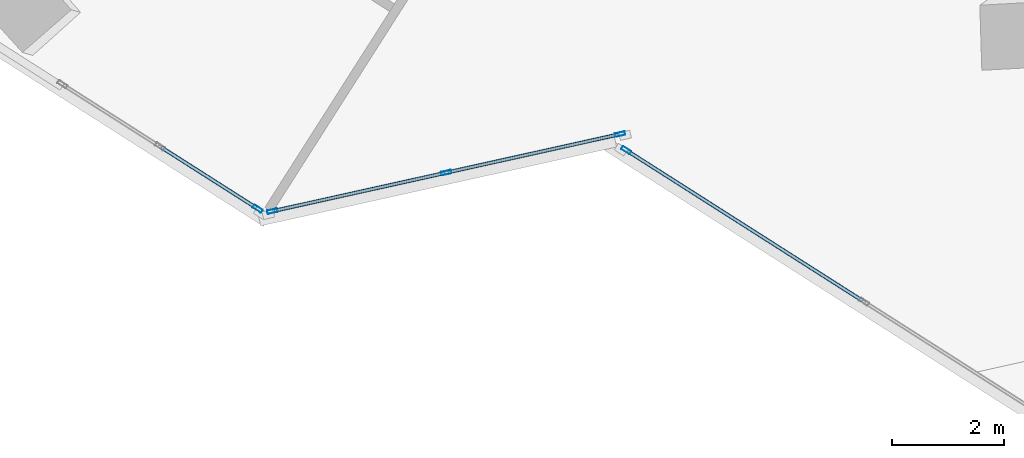
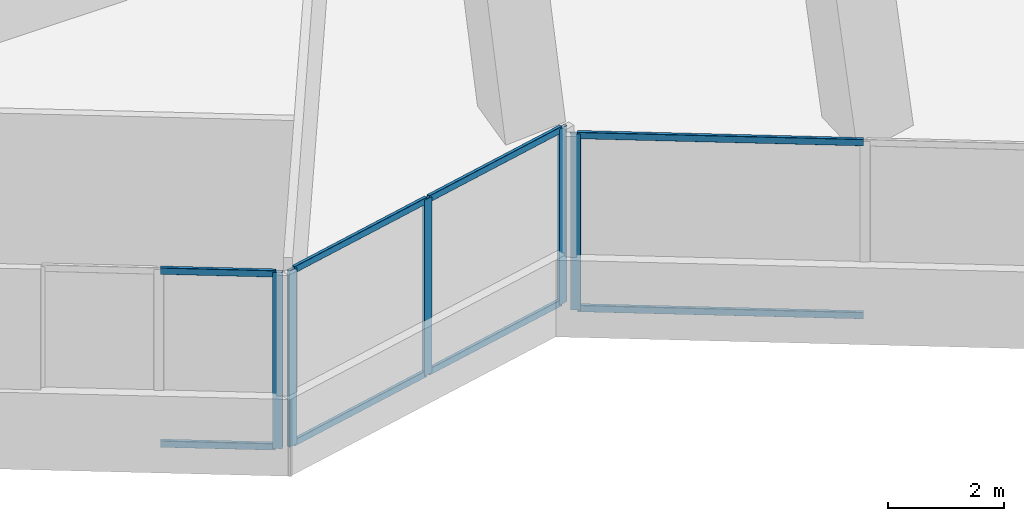
# One storey, part 4 of 24: 13 members, 3 elements without a shape of their own.
"""IFC4 building model written with IfcOpenShell, lengths in metres."""

from ifc_helpers import new_model, si_unit, direction, frame, origin, origin_2d, place, context, subcontext, project, spatial, hollow_rectangle, extrude, source, transform, mapped, material, material_profile, profile_set, type_object, element, aggregate, save


model = new_model("IFC4")

# Units and contexts
model_context = context("Model", 3, precision=1e-05, world=origin(), true_north=direction((0.0, 1.0)))
body_context = subcontext(model_context, "Body", "Model", "MODEL_VIEW")
ifc_project = project(units=[si_unit("LENGTHUNIT", "METRE"), si_unit("AREAUNIT", "SQUARE_METRE"), si_unit("VOLUMEUNIT", "CUBIC_METRE"), si_unit("PLANEANGLEUNIT", "RADIAN"), si_unit("MASSUNIT", "GRAM", prefix="KILO")], contexts=[model_context])

# Site, building, storey
site_placement = place(None, origin())
site = spatial("IfcSite", under=ifc_project, at=site_placement, CompositionType="ELEMENT")
building_placement = place(site_placement, origin())
building = spatial("IfcBuilding", under=site, at=building_placement, Name="Torre Montelarca", CompositionType="ELEMENT")
storey_placement = place(building_placement, frame((0.0, 0.0, 191.800048828125)))
storey = spatial("IfcBuildingStorey", under=building, at=storey_placement, Name="L43", CompositionType="ELEMENT", Elevation=191.800048828125)

# Curtain wall, members
ifc_material_1 = material(Name="Insulated low-E laminated glass", Category="glass")
curtain_wall_type = type_object("IfcCurtainWallType", Name="CW-SYS-Z2", PredefinedType="USERDEFINED", material=ifc_material_1)
curtain_wall_1_placement = place(storey_placement, origin())
curtain_wall_1 = element("IfcCurtainWall", 1, at=curtain_wall_1_placement, inside=storey, type_object=curtain_wall_type, Name="L43 Curtain Wall Run CW-T3-L43-E02-B1", ObjectType="UNITISED GLAZING", PredefinedType="USERDEFINED")
ifc_material_2 = material(Name="Anodised aluminium AA 6063-T6", Category="aluminium")
ifc_material_profile_1 = material_profile(ifc_material_2, hollow_rectangle(XDim=0.06494140625, YDim=0.139892578125, WallThickness=0.00390625, InnerFilletRadius=0.00390625, OuterFilletRadius=0.008056640625, at=origin_2d()), Name="ALU65X140X4", Category="aluminium")
ifc_profile_set_1 = profile_set([ifc_material_profile_1], Name="Anodised aluminium AA 6063-T6")
member_type_1 = type_object("IfcMemberType", Name="CWT-ALU140", PredefinedType="USERDEFINED", material=ifc_profile_set_1)
shared_shape_1 = source(origin(), body_context, "Body", "SweptSolid", [
    extrude(hollow_rectangle(XDim=0.06494140625, YDim=0.139892578125, WallThickness=0.00390625, InnerFilletRadius=0.00390625, OuterFilletRadius=0.008056640625, at=origin_2d()), origin(), (0.0, 0.0, 1.0), 3.1025390625),
])
member_1_placement = place(storey_placement, frame((21.111328125, 10.970458984375, 0.032470703125), z_axis=(0.976288784864, 0.216472188858, 0.0), x_axis=(-0.216472188858, 0.976288784864, 0.0)))
member_1 = element("IfcMember", 2, at=member_1_placement, type_object=member_type_1, Name="CW transom 1.1", ObjectType="TRANSOM", PredefinedType="USERDEFINED", context=body_context, shape_type="MappedRepresentation", body=[
    mapped(shared_shape_1, transform((0.0, 0.0, 0.0), scale=1.0)),
])
member_2_placement = place(storey_placement, frame((21.111328125, 10.970458984375, 3.6875), z_axis=(0.976288784864, 0.216472188858, 0.0), x_axis=(-0.216472188858, 0.976288784864, 0.0)))
member_2 = element("IfcMember", 3, at=member_2_placement, type_object=member_type_1, Name="CW transom 1.2", ObjectType="TRANSOM", PredefinedType="USERDEFINED", context=body_context, shape_type="MappedRepresentation", body=[
    mapped(shared_shape_1, transform((0.0, 0.0, 0.0), scale=1.0)),
])
member_3_placement = place(storey_placement, frame((24.20361328125, 11.65625, 0.032470703125), z_axis=(0.976305412254, 0.216397185758, 0.0), x_axis=(-0.216397185758, 0.976305412254, 0.0)))
member_3 = element("IfcMember", 4, at=member_3_placement, type_object=member_type_1, Name="CW transom 2.1", ObjectType="TRANSOM", PredefinedType="USERDEFINED", context=body_context, shape_type="MappedRepresentation", body=[
    mapped(shared_shape_1, transform((0.0, 0.0, 0.0), scale=1.0)),
])
member_4_placement = place(storey_placement, frame((24.20361328125, 11.65625, 3.6875), z_axis=(0.976305412254, 0.216397185758, 0.0), x_axis=(-0.216397185758, 0.976305412254, 0.0)))
member_4 = element("IfcMember", 5, at=member_4_placement, type_object=member_type_1, Name="CW transom 2.2", ObjectType="TRANSOM", PredefinedType="USERDEFINED", context=body_context, shape_type="MappedRepresentation", body=[
    mapped(shared_shape_1, transform((0.0, 0.0, 0.0), scale=1.0)),
])

# Curtain wall, member
curtain_wall_2_placement = place(storey_placement, origin())
curtain_wall_2 = element("IfcCurtainWall", 6, at=curtain_wall_2_placement, inside=storey, type_object=curtain_wall_type, Name="L43 Curtain Wall Run CW-T3-L43-E01-B3", ObjectType="UNITISED GLAZING", PredefinedType="USERDEFINED")
ifc_material_profile_2 = material_profile(ifc_material_2, hollow_rectangle(XDim=0.06494140625, YDim=0.179931640625, WallThickness=0.00390625, InnerFilletRadius=0.00390625, OuterFilletRadius=0.008056640625, at=origin_2d()), Name="ALU65X180X4", Category="aluminium")
ifc_profile_set_2 = profile_set([ifc_material_profile_2], Name="Anodised aluminium AA 6063-T6")
member_type_2 = type_object("IfcMemberType", Name="CWM-ALU180", PredefinedType="MULLION", material=ifc_profile_set_2)
shared_shape_2 = source(origin(), body_context, "Body", "SweptSolid", [
    extrude(hollow_rectangle(XDim=0.06494140625, YDim=0.179931640625, WallThickness=0.00390625, InnerFilletRadius=0.00390625, OuterFilletRadius=0.008056640625, at=origin_2d()), origin(), (0.0, 0.0, 1.0), 3.719970703125),
])
member_5_placement = place(storey_placement, frame((20.816650390625, 11.009765625, 0.0), z_axis=(0.0, 0.0, 1.0), x_axis=(0.537302748861, 0.843389445077, 0.0)))
member_5 = element("IfcMember", 7, at=member_5_placement, type_object=member_type_2, Name="CW mullion 3", PredefinedType="MULLION", context=body_context, shape_type="MappedRepresentation", body=[
    mapped(shared_shape_2, transform((0.0, 0.0, 0.0), scale=1.0)),
])

# Member
member_6_placement = place(storey_placement, frame((21.07958984375, 10.963623046875, 0.0), z_axis=(0.0, 0.0, 1.0), x_axis=(-0.216434114018, 0.976297226407, 0.0)))
member_6 = element("IfcMember", 8, at=member_6_placement, type_object=member_type_2, Name="CW mullion 1", PredefinedType="MULLION", context=body_context, shape_type="MappedRepresentation", body=[
    mapped(shared_shape_2, transform((0.0, 0.0, 0.0), scale=1.0)),
])

member_7_placement = place(storey_placement, frame((24.172119140625, 11.649169921875, 0.0), z_axis=(0.0, 0.0, 1.0), x_axis=(-0.216434114018, 0.976297226407, 0.0)))
member_7 = element("IfcMember", 9, at=member_7_placement, type_object=member_type_2, Name="CW mullion 2", PredefinedType="MULLION", context=body_context, shape_type="MappedRepresentation", body=[
    mapped(shared_shape_2, transform((0.0, 0.0, 0.0), scale=1.0)),
])

member_8_placement = place(storey_placement, frame((27.264404296875, 12.334716796875, 0.0), z_axis=(0.0, 0.0, 1.0), x_axis=(-0.216434114018, 0.976297226407, 0.0)))
member_8 = element("IfcMember", 10, at=member_8_placement, type_object=member_type_2, Name="CW mullion 3", PredefinedType="MULLION", context=body_context, shape_type="MappedRepresentation", body=[
    mapped(shared_shape_2, transform((0.0, 0.0, 0.0), scale=1.0)),
])

aggregate(curtain_wall_1, [member_6, member_7, member_8, member_1, member_2, member_3, member_4])

# Curtain wall, member
curtain_wall_3_placement = place(storey_placement, origin())
curtain_wall_3 = element("IfcCurtainWall", 11, at=curtain_wall_3_placement, inside=storey, type_object=curtain_wall_type, Name="L43 Curtain Wall Run CW-T3-L43-E04-B1", ObjectType="UNITISED GLAZING", PredefinedType="USERDEFINED")
member_9_placement = place(storey_placement, frame((27.374755859375, 12.049072265625, 0.0), z_axis=(0.0, 0.0, 1.0), x_axis=(0.537310114174, 0.843384752771, 0.0)))
member_9 = element("IfcMember", 12, at=member_9_placement, type_object=member_type_2, Name="CW mullion 1", PredefinedType="MULLION", context=body_context, shape_type="MappedRepresentation", body=[
    mapped(shared_shape_2, transform((0.0, 0.0, 0.0), scale=1.0)),
])

# Member
shared_shape_3 = source(origin(), body_context, "Body", "SweptSolid", [
    extrude(hollow_rectangle(XDim=0.06494140625, YDim=0.139892578125, WallThickness=0.00390625, InnerFilletRadius=0.00390625, OuterFilletRadius=0.008056640625, at=origin_2d()), origin(), (0.0, 0.0, 1.0), 1.9921875),
])
member_10_placement = place(storey_placement, frame((19.109130859375, 12.09765625, 0.032470703125), z_axis=(0.843409079761, -0.53727192759, 0.0), x_axis=(0.53727192759, 0.843409079761, 0.0)))
member_10 = element("IfcMember", 13, at=member_10_placement, type_object=member_type_1, Name="CW transom 2.1", ObjectType="TRANSOM", PredefinedType="USERDEFINED", context=body_context, shape_type="MappedRepresentation", body=[
    mapped(shared_shape_3, transform((0.0, 0.0, 0.0), scale=1.0)),
])

member_11_placement = place(storey_placement, frame((19.109130859375, 12.09765625, 3.6875), z_axis=(0.843409079761, -0.53727192759, 0.0), x_axis=(0.53727192759, 0.843409079761, 0.0)))
member_11 = element("IfcMember", 14, at=member_11_placement, type_object=member_type_1, Name="CW transom 2.2", ObjectType="TRANSOM", PredefinedType="USERDEFINED", context=body_context, shape_type="MappedRepresentation", body=[
    mapped(shared_shape_3, transform((0.0, 0.0, 0.0), scale=1.0)),
])

aggregate(curtain_wall_2, [member_5, member_10, member_11])

shared_shape_4 = source(origin(), body_context, "Body", "SweptSolid", [
    extrude(hollow_rectangle(XDim=0.06494140625, YDim=0.139892578125, WallThickness=0.00390625, InnerFilletRadius=0.00390625, OuterFilletRadius=0.008056640625, at=origin_2d()), origin(), (0.0, 0.0, 1.0), 4.94873046875),
])
member_12_placement = place(storey_placement, frame((27.402099609375, 12.031494140625, 0.032470703125), z_axis=(0.843399341211, -0.537287214853, 0.0), x_axis=(0.537287214853, 0.843399341211, 0.0)))
member_12 = element("IfcMember", 15, at=member_12_placement, type_object=member_type_1, Name="CW transom 1.1", ObjectType="TRANSOM", PredefinedType="USERDEFINED", context=body_context, shape_type="MappedRepresentation", body=[
    mapped(shared_shape_4, transform((0.0, 0.0, 0.0), scale=1.0)),
])

member_13_placement = place(storey_placement, frame((27.402099609375, 12.031494140625, 3.6875), z_axis=(0.843399341211, -0.537287214853, 0.0), x_axis=(0.537287214853, 0.843399341211, 0.0)))
member_13 = element("IfcMember", 16, at=member_13_placement, type_object=member_type_1, Name="CW transom 1.2", ObjectType="TRANSOM", PredefinedType="USERDEFINED", context=body_context, shape_type="MappedRepresentation", body=[
    mapped(shared_shape_4, transform((0.0, 0.0, 0.0), scale=1.0)),
])

aggregate(curtain_wall_3, [member_9, member_12, member_13])

save(model, "model.ifc")
